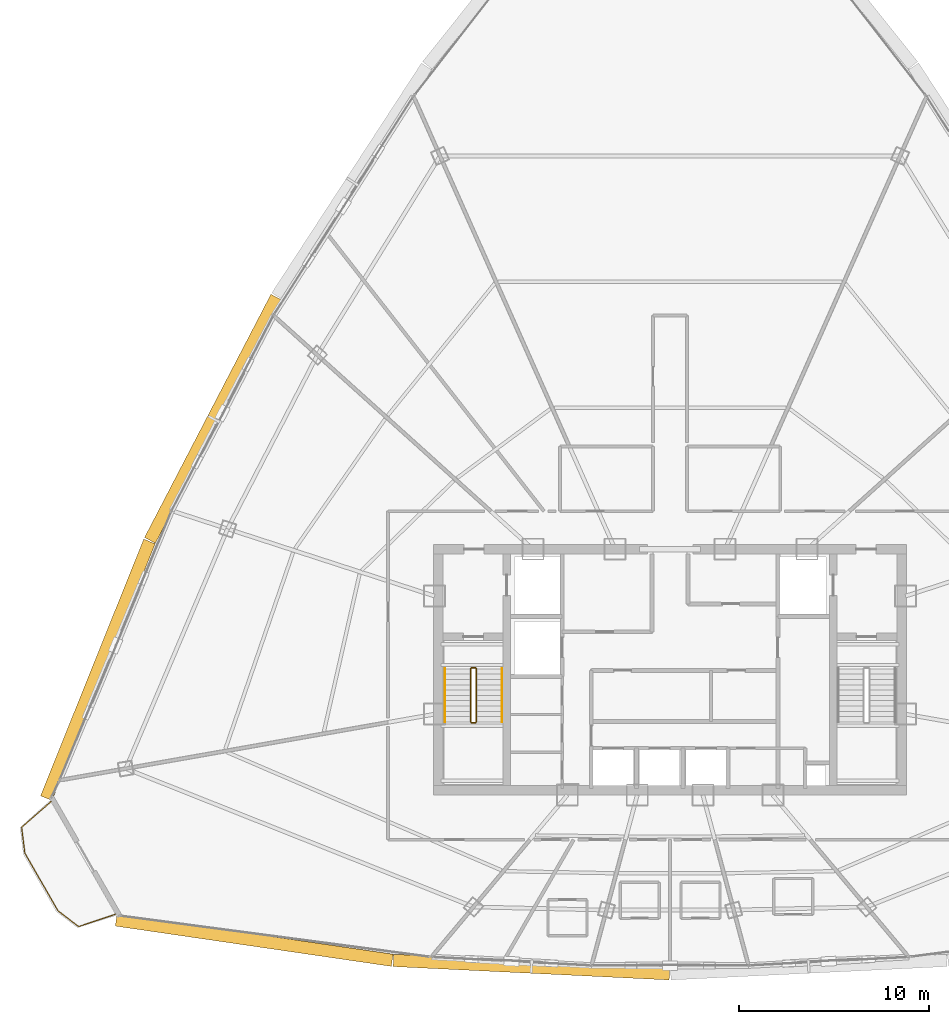
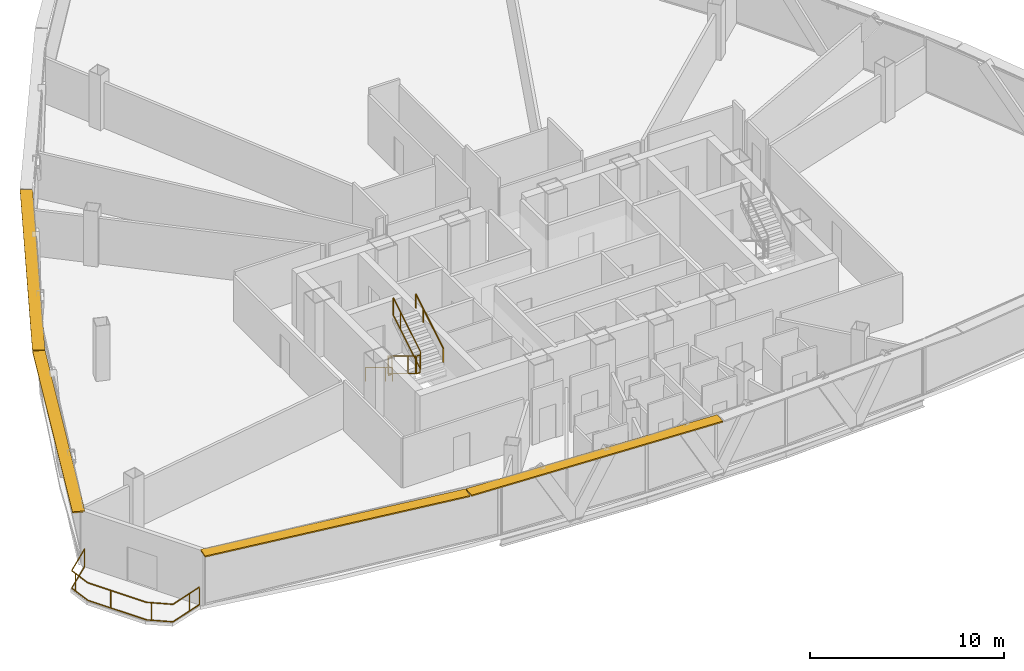
# One storey, part 35 of 37: 7 railings, 4 shading devices.
"""IFC4 building model written with IfcOpenShell, lengths in metres."""

from ifc_helpers import new_model, si_unit, direction, frame, origin, origin_2d, place, context, subcontext, project, spatial, rectangle, extrude, source, transform, mapped, material, layer, layer_set, type_object, element, save


model = new_model("IFC4")

# Units and contexts
model_context = context("Model", 3, precision=1e-05, world=origin(), true_north=direction((0.0, 1.0)))
body_context = subcontext(model_context, "Body", "Model", "MODEL_VIEW")
ifc_project = project(units=[si_unit("LENGTHUNIT", "METRE"), si_unit("AREAUNIT", "SQUARE_METRE"), si_unit("VOLUMEUNIT", "CUBIC_METRE"), si_unit("PLANEANGLEUNIT", "RADIAN"), si_unit("MASSUNIT", "GRAM", prefix="KILO"), si_unit("THERMODYNAMICTEMPERATUREUNIT", "KELVIN"), si_unit("POWERUNIT", "WATT")], contexts=[model_context])

# Site, building, storey
site_placement = place(None, origin())
site = spatial("IfcSite", under=ifc_project, at=site_placement, CompositionType="ELEMENT")
building_placement = place(site_placement, origin())
building = spatial("IfcBuilding", under=site, at=building_placement, Name="Yunzhuo Pagoda Commons", CompositionType="ELEMENT")
storey_placement = place(building_placement, frame((0.0, 0.0, 281.2900390625)))
storey = spatial("IfcBuildingStorey", under=building, at=storey_placement, Name="L70", CompositionType="ELEMENT", Elevation=281.2900390625)

# Railings
ifc_material = material(Name="Anodized aluminium 6063-T6", Category="aluminium")
railing_type_1 = type_object("IfcRailingType", Name="GR-ST1 Stair Well Guardrail 1150", PredefinedType="GUARDRAIL", material=ifc_material)
railing_1_placement = place(storey_placement, frame((37.5, 33.89990234375, 0.16943359375)))
element("IfcRailing", 1, at=railing_1_placement, inside=storey, type_object=railing_type_1, Name="L70 ST1 stair guard 1", PredefinedType="GUARDRAIL", context=body_context, shape_type="SweptSolid", body=[
    extrude(rectangle(XDim=0.048095703125, YDim=0.048095703125, at=origin_2d()), frame((0.0, 0.0, 1.1259765625), z_axis=(0.0, -0.855373106579, 0.518012401918), x_axis=(1.0, 0.0, 0.0)), (0.0, 0.0, 1.0), 3.273193359375),
    extrude(rectangle(XDim=0.048095703125, YDim=0.048095703125, at=origin_2d()), frame((0.0, 0.0, 0.02392578125), z_axis=(0.0, -0.855373106579, 0.518012401918), x_axis=(1.0, 0.0, 0.0)), (0.0, 0.0, 1.0), 3.273193359375),
    extrude(rectangle(XDim=0.0419921875, YDim=0.0419921875, at=origin_2d()), origin(), (0.0, 0.0, 1.0), 1.101806640625),
    extrude(rectangle(XDim=0.0419921875, YDim=0.0419921875, at=origin_2d()), frame((0.0, -2.052978515625, 1.2431640625)), (0.0, 0.0, 1.0), 1.101806640625),
    extrude(rectangle(XDim=0.0419921875, YDim=0.0419921875, at=origin_2d()), frame((0.0, -2.7998046875, 1.695556640625)), (0.0, 0.0, 1.0), 1.101806640625),
])
railing_2_placement = place(storey_placement, frame((37.550048828125, 31.050048828125, 1.864990234375)))
element("IfcRailing", 2, at=railing_2_placement, inside=storey, type_object=railing_type_1, Name="L70 ST1 stair guard 2", PredefinedType="GUARDRAIL", context=body_context, shape_type="SweptSolid", body=[
    extrude(rectangle(XDim=0.048095703125, YDim=0.048095703125, at=origin_2d()), frame((0.0, 0.0, 1.1259765625), z_axis=(1.0, 0.0, 0.0), x_axis=(0.0, 1.0, 0.0)), (0.0, 0.0, 1.0), 0.199951171875),
    extrude(rectangle(XDim=0.048095703125, YDim=0.048095703125, at=origin_2d()), frame((0.0, 0.0, 0.02392578125), z_axis=(1.0, 0.0, 0.0), x_axis=(0.0, 1.0, 0.0)), (0.0, 0.0, 1.0), 0.199951171875),
    extrude(rectangle(XDim=0.0419921875, YDim=0.0419921875, at=origin_2d()), origin(), (0.0, 0.0, 1.0), 1.101806640625),
    extrude(rectangle(XDim=0.0419921875, YDim=0.0419921875, at=origin_2d()), frame((0.199951171875, 0.0, 0.0)), (0.0, 0.0, 1.0), 1.101806640625),
])
railing_3_placement = place(storey_placement, frame((37.800048828125, 31.10009765625, 2.034423828125)))
element("IfcRailing", 3, at=railing_3_placement, inside=storey, type_object=railing_type_1, Name="L70 ST1 stair guard 3", PredefinedType="GUARDRAIL", context=body_context, shape_type="SweptSolid", body=[
    extrude(rectangle(XDim=0.048095703125, YDim=0.048095703125, at=origin_2d()), frame((0.0, 0.0, 1.1259765625), z_axis=(0.0, 0.855373106579, 0.518012401918), x_axis=(-1.0, 0.0, 0.0)), (0.0, 0.0, 1.0), 3.273193359375),
    extrude(rectangle(XDim=0.048095703125, YDim=0.048095703125, at=origin_2d()), frame((0.0, 0.0, 0.02392578125), z_axis=(0.0, 0.855373106579, 0.518012401918), x_axis=(-1.0, 0.0, 0.0)), (0.0, 0.0, 1.0), 3.273193359375),
    extrude(rectangle(XDim=0.0419921875, YDim=0.0419921875, at=origin_2d()), origin(), (0.0, 0.0, 1.0), 1.101806640625),
    extrude(rectangle(XDim=0.0419921875, YDim=0.0419921875, at=origin_2d()), frame((0.0, 2.052978515625, 1.2431640625)), (0.0, 0.0, 1.0), 1.101806640625),
    extrude(rectangle(XDim=0.0419921875, YDim=0.0419921875, at=origin_2d()), frame((0.0, 2.7998046875, 1.695556640625)), (0.0, 0.0, 1.0), 1.101806640625),
])
railing_4_placement = place(storey_placement, frame((37.550048828125, 33.949951171875, 0.0)))
element("IfcRailing", 4, at=railing_4_placement, inside=storey, type_object=railing_type_1, Name="L70 ST1 stair guard 4", PredefinedType="GUARDRAIL", context=body_context, shape_type="SweptSolid", body=[
    extrude(rectangle(XDim=0.048095703125, YDim=0.048095703125, at=origin_2d()), frame((0.0, 0.0, 1.1259765625), z_axis=(1.0, 0.0, 0.0), x_axis=(0.0, 1.0, 0.0)), (0.0, 0.0, 1.0), 0.199951171875),
    extrude(rectangle(XDim=0.048095703125, YDim=0.048095703125, at=origin_2d()), frame((0.0, 0.0, 0.02392578125), z_axis=(1.0, 0.0, 0.0), x_axis=(0.0, 1.0, 0.0)), (0.0, 0.0, 1.0), 0.199951171875),
    extrude(rectangle(XDim=0.0419921875, YDim=0.0419921875, at=origin_2d()), origin(), (0.0, 0.0, 1.0), 1.101806640625),
    extrude(rectangle(XDim=0.0419921875, YDim=0.0419921875, at=origin_2d()), frame((0.199951171875, 0.0, 0.0)), (0.0, 0.0, 1.0), 1.101806640625),
])
railing_type_2 = type_object("IfcRailingType", Name="HR-ST1 Stair Handrail 900", PredefinedType="HANDRAIL", material=ifc_material)
railing_5_placement = place(storey_placement, frame((36.14990234375, 33.89990234375, 0.16943359375)))
element("IfcRailing", 5, at=railing_5_placement, inside=storey, type_object=railing_type_2, Name="L70 ST1 stair handrail 1", PredefinedType="HANDRAIL", context=body_context, shape_type="SweptSolid", body=[
    extrude(rectangle(XDim=0.048095703125, YDim=0.048095703125, at=origin_2d()), frame((0.0, 0.0, 0.8759765625), z_axis=(0.0, -0.855373106579, 0.518012401918), x_axis=(1.0, 0.0, 0.0)), (0.0, 0.0, 1.0), 3.273193359375),
    extrude(rectangle(XDim=0.0419921875, YDim=0.0419921875, at=origin_2d()), origin(), (0.0, 0.0, 1.0), 0.851806640625),
    extrude(rectangle(XDim=0.0419921875, YDim=0.0419921875, at=origin_2d()), frame((0.0, -2.052978515625, 1.2431640625)), (0.0, 0.0, 1.0), 0.851806640625),
    extrude(rectangle(XDim=0.0419921875, YDim=0.0419921875, at=origin_2d()), frame((0.0, -2.7998046875, 1.695556640625)), (0.0, 0.0, 1.0), 0.851806640625),
])
railing_6_placement = place(storey_placement, frame((39.14990234375, 31.10009765625, 2.034423828125)))
element("IfcRailing", 6, at=railing_6_placement, inside=storey, type_object=railing_type_2, Name="L70 ST1 stair handrail 2", PredefinedType="HANDRAIL", context=body_context, shape_type="SweptSolid", body=[
    extrude(rectangle(XDim=0.048095703125, YDim=0.048095703125, at=origin_2d()), frame((0.0, 0.0, 0.8759765625), z_axis=(0.0, 0.855373106579, 0.518012401918), x_axis=(-1.0, 0.0, 0.0)), (0.0, 0.0, 1.0), 3.273193359375),
    extrude(rectangle(XDim=0.0419921875, YDim=0.0419921875, at=origin_2d()), origin(), (0.0, 0.0, 1.0), 0.851806640625),
    extrude(rectangle(XDim=0.0419921875, YDim=0.0419921875, at=origin_2d()), frame((0.0, 2.052978515625, 1.2431640625)), (0.0, 0.0, 1.0), 0.851806640625),
    extrude(rectangle(XDim=0.0419921875, YDim=0.0419921875, at=origin_2d()), frame((0.0, 2.7998046875, 1.695556640625)), (0.0, 0.0, 1.0), 0.851806640625),
])
railing_type_3 = type_object("IfcRailingType", Name="RL-BAL1 Exterior Terrace & Balcony Balustrade 1150", PredefinedType="BALUSTRADE", material=ifc_material)
railing_7_placement = place(storey_placement, frame((15.40380859375, 26.909912109375, 0.0)))
element("IfcRailing", 7, at=railing_7_placement, inside=storey, type_object=railing_type_3, Name="L70 corner balcony balustrade V1", PredefinedType="BALUSTRADE", context=body_context, shape_type="SweptSolid", body=[
    extrude(rectangle(XDim=0.048095703125, YDim=0.048095703125, at=origin_2d()), frame((0.0, 0.0, 1.1259765625), z_axis=(-0.753933830692, -0.656950362614, 0.0), x_axis=(0.656950362614, -0.753933830692, 0.0)), (0.0, 0.0, 1.0), 2.05908203125),
    extrude(rectangle(XDim=0.048095703125, YDim=0.048095703125, at=origin_2d()), frame((0.0, 0.0, 0.02392578125), z_axis=(-0.753933830692, -0.656950362614, 0.0), x_axis=(0.656950362614, -0.753933830692, 0.0)), (0.0, 0.0, 1.0), 2.05908203125),
    extrude(rectangle(XDim=0.048095703125, YDim=0.048095703125, at=origin_2d()), frame((-1.552490234375, -1.352783203125, 1.1259765625), z_axis=(0.125040239257, -0.99215167115, 0.0), x_axis=(0.99215167115, 0.125040239257, 0.0)), (0.0, 0.0, 1.0), 1.37451171875),
    extrude(rectangle(XDim=0.048095703125, YDim=0.048095703125, at=origin_2d()), frame((-1.552490234375, -1.352783203125, 0.02392578125), z_axis=(0.125040239257, -0.99215167115, 0.0), x_axis=(0.99215167115, 0.125040239257, 0.0)), (0.0, 0.0, 1.0), 1.37451171875),
    extrude(rectangle(XDim=0.048095703125, YDim=0.048095703125, at=origin_2d()), frame((-1.380615234375, -2.716552734375, 1.1259765625), z_axis=(0.49794239508, -0.867210107864, 0.0), x_axis=(0.867210107864, 0.49794239508, 0.0)), (0.0, 0.0, 1.0), 3.496826171875),
    extrude(rectangle(XDim=0.048095703125, YDim=0.048095703125, at=origin_2d()), frame((-1.380615234375, -2.716552734375, 0.02392578125), z_axis=(0.49794239508, -0.867210107864, 0.0), x_axis=(0.867210107864, 0.49794239508, 0.0)), (0.0, 0.0, 1.0), 3.496826171875),
    extrude(rectangle(XDim=0.048095703125, YDim=0.048095703125, at=origin_2d()), frame((0.360595703125, -5.7490234375, 1.1259765625), z_axis=(0.793797866596, -0.608181672684, 0.0), x_axis=(0.608181672684, 0.793797866596, 0.0)), (0.0, 0.0, 1.0), 1.37451171875),
    extrude(rectangle(XDim=0.048095703125, YDim=0.048095703125, at=origin_2d()), frame((0.360595703125, -5.7490234375, 0.02392578125), z_axis=(0.793797866596, -0.608181672684, 0.0), x_axis=(0.608181672684, 0.793797866596, 0.0)), (0.0, 0.0, 1.0), 1.37451171875),
    extrude(rectangle(XDim=0.048095703125, YDim=0.048095703125, at=origin_2d()), frame((1.45166015625, -6.5849609375, 1.1259765625), z_axis=(0.947419062147, 0.319995501031, 0.0), x_axis=(-0.319995501031, 0.947419062147, 0.0)), (0.0, 0.0, 1.0), 2.05908203125),
    extrude(rectangle(XDim=0.048095703125, YDim=0.048095703125, at=origin_2d()), frame((1.45166015625, -6.5849609375, 0.02392578125), z_axis=(0.947419062147, 0.319995501031, 0.0), x_axis=(-0.319995501031, 0.947419062147, 0.0)), (0.0, 0.0, 1.0), 2.05908203125),
    extrude(rectangle(XDim=0.0419921875, YDim=0.0419921875, at=origin_2d()), origin(), (0.0, 0.0, 1.0), 1.101806640625),
    extrude(rectangle(XDim=0.0419921875, YDim=0.0419921875, at=origin_2d()), frame((-1.509765625, -1.69091796875, 0.0)), (0.0, 0.0, 1.0), 1.101806640625),
    extrude(rectangle(XDim=0.0419921875, YDim=0.0419921875, at=origin_2d()), frame((-0.7001953125, -3.9013671875, 0.0)), (0.0, 0.0, 1.0), 1.101806640625),
    extrude(rectangle(XDim=0.0419921875, YDim=0.0419921875, at=origin_2d()), frame((0.574462890625, -5.912841796875, 0.0)), (0.0, 0.0, 1.0), 1.101806640625),
    extrude(rectangle(XDim=0.0419921875, YDim=0.0419921875, at=origin_2d()), frame((2.678466796875, -6.170654296875, 0.0)), (0.0, 0.0, 1.0), 1.101806640625),
    extrude(rectangle(XDim=0.0419921875, YDim=0.0419921875, at=origin_2d()), frame((3.402587890625, -5.926025390625, 0.0)), (0.0, 0.0, 1.0), 1.101806640625),
])

# Shading devices
ifc_layer = layer(ifc_material, 0.080078125)
ifc_layer_set = layer_set([ifc_layer], Name="Anodized aluminium 6063-T6")
shading_device_type = type_object("IfcShadingDeviceType", Name="SH-SUN1 Pagoda Horizontal Sunshade Eave 650", PredefinedType="USERDEFINED", material=ifc_layer_set)
shared_shape_1 = source(origin(), body_context, "Body", "SweptSolid", [
    extrude(rectangle(XDim=14.69140625, YDim=0.64990234375, at=origin_2d()), origin(), (0.0, 0.0, 1.0), 0.080078125),
])
shading_device_1_placement = place(storey_placement, frame((26.10009765625, 19.613037109375, 3.389892578125), z_axis=(0.0, 0.0, 1.0), x_axis=(0.989510666697, -0.144459823108, 0.0)))
element("IfcShadingDevice", 8, at=shading_device_1_placement, inside=storey, type_object=shading_device_type, Name="L70 horizontal pagoda sunshade eave F1.1", ObjectType="SUNSHADE", PredefinedType="USERDEFINED", context=body_context, shape_type="MappedRepresentation", body=[
    mapped(shared_shape_1, transform((0.0, 0.0, 0.0), scale=1.0)),
])
shared_shape_2 = source(origin(), body_context, "Body", "SweptSolid", [
    extrude(rectangle(XDim=14.55419921875, YDim=0.64990234375, at=origin_2d()), origin(), (0.0, 0.0, 1.0), 0.080078125),
])
shading_device_2_placement = place(storey_placement, frame((40.699951171875, 18.192138671875, 3.389892578125), z_axis=(0.0, 0.0, 1.0), x_axis=(0.998818043775, -0.04860571396, 0.0)))
element("IfcShadingDevice", 9, at=shading_device_2_placement, inside=storey, type_object=shading_device_type, Name="L70 horizontal pagoda sunshade eave F1.2", ObjectType="SUNSHADE", PredefinedType="USERDEFINED", context=body_context, shape_type="MappedRepresentation", body=[
    mapped(shared_shape_2, transform((0.0, 0.0, 0.0), scale=1.0)),
])
shared_shape_3 = source(origin(), body_context, "Body", "SweptSolid", [
    extrude(rectangle(XDim=14.5732421875, YDim=0.64990234375, at=origin_2d()), origin(), (0.0, 0.0, 1.0), 0.080078125),
])
shading_device_3_placement = place(storey_placement, frame((17.86669921875, 33.84814453125, 3.389892578125), z_axis=(0.0, 0.0, 1.0), x_axis=(-0.372987782576, -0.927836253899, 0.0)))
element("IfcShadingDevice", 10, at=shading_device_3_placement, inside=storey, type_object=shading_device_type, Name="L70 horizontal pagoda sunshade eave F3.4", ObjectType="SUNSHADE", PredefinedType="USERDEFINED", context=body_context, shape_type="MappedRepresentation", body=[
    mapped(shared_shape_3, transform((0.0, 0.0, 0.0), scale=1.0)),
])
shared_shape_4 = source(origin(), body_context, "Body", "SweptSolid", [
    extrude(rectangle(XDim=14.434814453125, YDim=0.64990234375, at=origin_2d()), origin(), (0.0, 0.0, 1.0), 0.080078125),
])
shading_device_4_placement = place(storey_placement, frame((23.939697265625, 47.0703125, 3.389892578125), z_axis=(0.0, 0.0, 1.0), x_axis=(-0.461206683033, -0.88729273384, 0.0)))
element("IfcShadingDevice", 11, at=shading_device_4_placement, inside=storey, type_object=shading_device_type, Name="L70 horizontal pagoda sunshade eave F3.3", ObjectType="SUNSHADE", PredefinedType="USERDEFINED", context=body_context, shape_type="MappedRepresentation", body=[
    mapped(shared_shape_4, transform((0.0, 0.0, 0.0), scale=1.0)),
])

save(model, "model.ifc")
